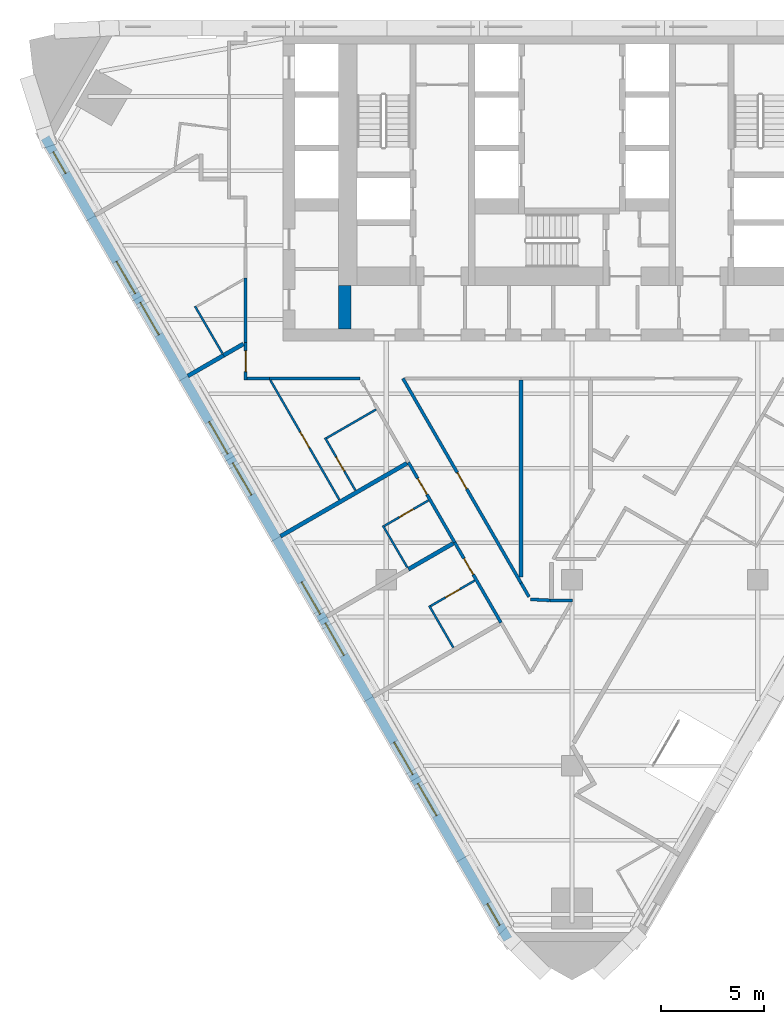
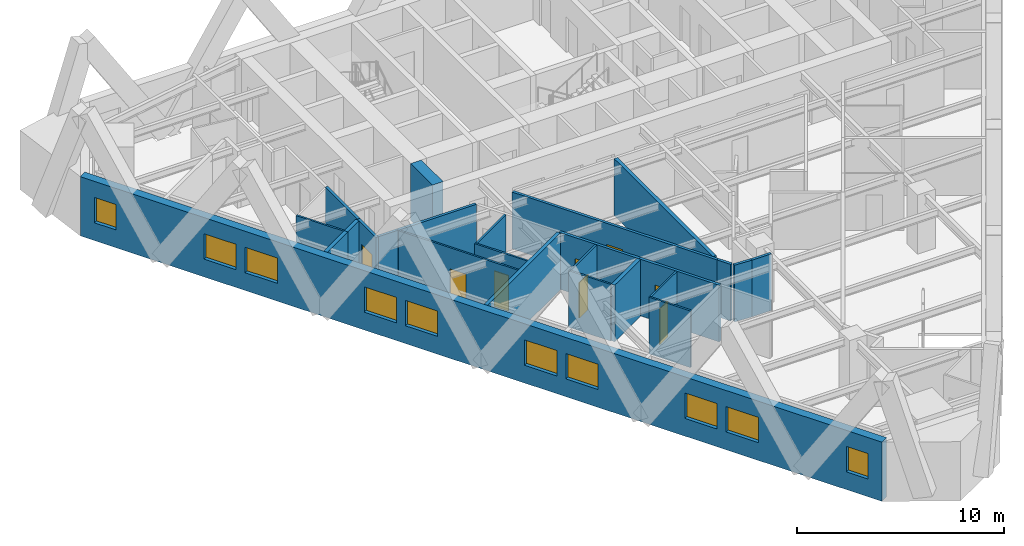
# One storey, part 5 of 12: 25 walls, 10 windows, 8 doors, 18 openings.
"""IFC4 building model written with IfcOpenShell, lengths in metres."""

from ifc_helpers import new_model, si_unit, direction, frame, frame_2d, origin, place, context, subcontext, project, spatial, polyline, rectangle, outline, extrude, material, layer, layer_set, type_object, element, fill, save


model = new_model("IFC4")

# Units and contexts
model_context = context("Model", 3, precision=1e-05, world=origin(), true_north=direction((0.0, 1.0)))
body_context = subcontext(model_context, "Body", "Model", "MODEL_VIEW")
ifc_project = project(units=[si_unit("LENGTHUNIT", "METRE"), si_unit("AREAUNIT", "SQUARE_METRE"), si_unit("VOLUMEUNIT", "CUBIC_METRE"), si_unit("PLANEANGLEUNIT", "RADIAN"), si_unit("MASSUNIT", "GRAM", prefix="KILO")], contexts=[model_context])

# Site, building, storey
site_placement = place(None, origin())
site = spatial("IfcSite", under=ifc_project, at=site_placement, CompositionType="ELEMENT")
building_placement = place(site_placement, origin())
building = spatial("IfcBuilding", under=site, at=building_placement, Name="Aloe Facet Convention Tower", CompositionType="ELEMENT")
storey_placement = place(building_placement, frame((0.0, 0.0, 70.0)))
storey = spatial("IfcBuildingStorey", under=building, at=storey_placement, Name="L16", CompositionType="ELEMENT", Elevation=70.0)

# Wall
ifc_material_1 = material(Name="Concrete C80/95", Category="concrete")
ifc_layer_1 = layer(ifc_material_1, 0.60009765625)
ifc_layer_set_1 = layer_set([ifc_layer_1], Name="CR-W-RC600-C8095")
wall_type_1 = type_object("IfcWallType", Name="CR-W-RC600-C8095", PredefinedType="SOLIDWALL", material=ifc_layer_set_1)
wall_1_placement = place(storey_placement, frame((69.0, 122.25, 0.0), z_axis=(0.0, 0.0, 1.0), x_axis=(0.0, -1.0, 0.0)))
element("IfcWall", 1, at=wall_1_placement, inside=storey, type_object=wall_type_1, Name="Core wall L16-009", PredefinedType="SOLIDWALL", context=body_context, shape_type="SweptSolid", body=[
    extrude(rectangle(XDim=2.10009765625, YDim=0.60009765625, at=frame_2d((1.050048828125, 0.0))), origin(), (0.0, 0.0, 1.0), 3.35009765625),
])

# Wall, openings, windows
ifc_material_2 = material(Name="Precast concrete C40/50", Category="concrete")
ifc_layer_2 = layer(ifc_material_2, 0.449951171875)
ifc_layer_set_2 = layer_set([ifc_layer_2], Name="EV-WALL-STONE")
wall_type_2 = type_object("IfcWallType", Name="EV-WALL-STONE", PredefinedType="SOLIDWALL", material=ifc_layer_set_2)
wall_2_placement = place(storey_placement, frame((54.494873046875, 129.396728515625, -0.14990234375), z_axis=(0.0, 0.0, 1.0), x_axis=(0.499999201451, -0.866025864826, 0.0)))
wall_2 = element("IfcWall", 2, at=wall_2_placement, inside=storey, type_object=wall_type_2, Name="EW-L16-W01", PredefinedType="SOLIDWALL", context=body_context, shape_type="SweptSolid", body=[
    extrude(outline(polyline([(44.800048828125, 0.0), (44.800048828125, 3.5), (0.0, 3.5), (0.0, 0.0), (44.800048828125, 0.0)])), frame((0.0, 0.22509765625, 0.0), z_axis=(0.0, -1.0, 0.0), x_axis=(1.0, 0.0, 0.0)), (0.0, 0.0, 1.0), 0.449951171875),
])
opening_1_placement = place(wall_2_placement, frame((0.7861328125, 0.0, 1.050048828125)))
opening_1 = element("IfcOpeningElement", 3, at=opening_1_placement, cuts=wall_2, Name="Opening W-L16-W01", PredefinedType="OPENING", context=body_context, shape_type="SweptSolid", body=[
    extrude(rectangle(XDim=1.199951171875, YDim=1.5, at=frame_2d((0.60009765625, 0.75))), frame((0.0, 0.23486328125, 0.0), z_axis=(0.0, -1.0, 0.0), x_axis=(1.0, 0.0, 0.0)), (0.0, 0.0, 1.0), 0.469970703125),
])
opening_2_placement = place(wall_2_placement, frame((6.909912109375, 0.0, 1.050048828125)))
opening_2 = element("IfcOpeningElement", 4, at=opening_2_placement, cuts=wall_2, Name="Opening W-L16-W02", PredefinedType="OPENING", context=body_context, shape_type="SweptSolid", body=[
    extrude(rectangle(XDim=1.800048828125, YDim=1.5, at=frame_2d((0.89990234375, 0.75))), frame((0.0, 0.23486328125, 0.0), z_axis=(0.0, -1.0, 0.0), x_axis=(1.0, 0.0, 0.0)), (0.0, 0.0, 1.0), 0.469970703125),
])
opening_3_placement = place(wall_2_placement, frame((9.2099609375, 0.0, 1.050048828125)))
opening_3 = element("IfcOpeningElement", 5, at=opening_3_placement, cuts=wall_2, Name="Opening W-L16-W03", PredefinedType="OPENING", context=body_context, shape_type="SweptSolid", body=[
    extrude(rectangle(XDim=1.800048828125, YDim=1.5, at=frame_2d((0.89990234375, 0.75))), frame((0.0, 0.23486328125, 0.0), z_axis=(0.0, -1.0, 0.0), x_axis=(1.0, 0.0, 0.0)), (0.0, 0.0, 1.0), 0.469970703125),
])
opening_4_placement = place(wall_2_placement, frame((15.8701171875, 0.0, 1.050048828125)))
opening_4 = element("IfcOpeningElement", 6, at=opening_4_placement, cuts=wall_2, Name="Opening W-L16-W04", PredefinedType="OPENING", context=body_context, shape_type="SweptSolid", body=[
    extrude(rectangle(XDim=1.800048828125, YDim=1.5, at=frame_2d((0.89990234375, 0.75))), frame((0.0, 0.23486328125, 0.0), z_axis=(0.0, -1.0, 0.0), x_axis=(1.0, 0.0, 0.0)), (0.0, 0.0, 1.0), 0.469970703125),
])
opening_5_placement = place(wall_2_placement, frame((18.169921875, 0.0, 1.050048828125)))
opening_5 = element("IfcOpeningElement", 7, at=opening_5_placement, cuts=wall_2, Name="Opening W-L16-W05", PredefinedType="OPENING", context=body_context, shape_type="SweptSolid", body=[
    extrude(rectangle(XDim=1.800048828125, YDim=1.5, at=frame_2d((0.89990234375, 0.75))), frame((0.0, 0.23486328125, 0.0), z_axis=(0.0, -1.0, 0.0), x_axis=(1.0, 0.0, 0.0)), (0.0, 0.0, 1.0), 0.469970703125),
])
opening_6_placement = place(wall_2_placement, frame((24.830078125, 0.0, 1.050048828125)))
opening_6 = element("IfcOpeningElement", 8, at=opening_6_placement, cuts=wall_2, Name="Opening W-L16-W06", PredefinedType="OPENING", context=body_context, shape_type="SweptSolid", body=[
    extrude(rectangle(XDim=1.800048828125, YDim=1.5, at=frame_2d((0.89990234375, 0.75))), frame((0.0, 0.23486328125, 0.0), z_axis=(0.0, -1.0, 0.0), x_axis=(1.0, 0.0, 0.0)), (0.0, 0.0, 1.0), 0.469970703125),
])
opening_7_placement = place(wall_2_placement, frame((27.1298828125, 0.0, 1.050048828125)))
opening_7 = element("IfcOpeningElement", 9, at=opening_7_placement, cuts=wall_2, Name="Opening W-L16-W07", PredefinedType="OPENING", context=body_context, shape_type="SweptSolid", body=[
    extrude(rectangle(XDim=1.800048828125, YDim=1.5, at=frame_2d((0.89990234375, 0.75))), frame((0.0, 0.23486328125, 0.0), z_axis=(0.0, -1.0, 0.0), x_axis=(1.0, 0.0, 0.0)), (0.0, 0.0, 1.0), 0.469970703125),
])
opening_8_placement = place(wall_2_placement, frame((33.7900390625, 0.0, 1.050048828125)))
opening_8 = element("IfcOpeningElement", 10, at=opening_8_placement, cuts=wall_2, Name="Opening W-L16-W08", PredefinedType="OPENING", context=body_context, shape_type="SweptSolid", body=[
    extrude(rectangle(XDim=1.800048828125, YDim=1.5, at=frame_2d((0.89990234375, 0.75))), frame((0.0, 0.23486328125, 0.0), z_axis=(0.0, -1.0, 0.0), x_axis=(1.0, 0.0, 0.0)), (0.0, 0.0, 1.0), 0.469970703125),
])
opening_9_placement = place(wall_2_placement, frame((36.090087890625, 0.0, 1.050048828125)))
opening_9 = element("IfcOpeningElement", 11, at=opening_9_placement, cuts=wall_2, Name="Opening W-L16-W09", PredefinedType="OPENING", context=body_context, shape_type="SweptSolid", body=[
    extrude(rectangle(XDim=1.800048828125, YDim=1.5, at=frame_2d((0.89990234375, 0.75))), frame((0.0, 0.23486328125, 0.0), z_axis=(0.0, -1.0, 0.0), x_axis=(1.0, 0.0, 0.0)), (0.0, 0.0, 1.0), 0.469970703125),
])
opening_10_placement = place(wall_2_placement, frame((42.81396484375, 0.0, 1.050048828125)))
opening_10 = element("IfcOpeningElement", 12, at=opening_10_placement, cuts=wall_2, Name="Opening W-L16-W10", PredefinedType="OPENING", context=body_context, shape_type="SweptSolid", body=[
    extrude(rectangle(XDim=1.199951171875, YDim=1.5, at=frame_2d((0.60009765625, 0.75))), frame((0.0, 0.23486328125, 0.0), z_axis=(0.0, -1.0, 0.0), x_axis=(1.0, 0.0, 0.0)), (0.0, 0.0, 1.0), 0.469970703125),
])
ifc_material_3 = material(Name="Aluminium frame, clear double glazing", Category="aluminium")
window_type_1 = type_object("IfcWindowType", Name="EV-WIN-H12", PartitioningType="SINGLE_PANEL", PredefinedType="WINDOW", material=ifc_material_3)
window_1_placement = place(opening_1_placement, origin())
window_1 = element("IfcWindow", 13, at=window_1_placement, inside=storey, type_object=window_type_1, Name="W-L16-W01", OverallHeight=1.5, OverallWidth=1.199951171875, PartitioningType="SINGLE_PANEL", PredefinedType="WINDOW", context=body_context, shape_type="SweptSolid", body=[
    extrude(rectangle(XDim=1.199951171875, YDim=1.5, at=frame_2d((0.60009765625, 0.75))), frame((0.0, 0.030029296875, 0.0), z_axis=(0.0, -1.0, 0.0), x_axis=(1.0, 0.0, 0.0)), (0.0, 0.0, 1.0), 0.06005859375),
])
fill(opening_1, window_1)
window_2_placement = place(opening_10_placement, origin())
window_2 = element("IfcWindow", 14, at=window_2_placement, inside=storey, type_object=window_type_1, Name="W-L16-W10", OverallHeight=1.5, OverallWidth=1.199951171875, PartitioningType="SINGLE_PANEL", PredefinedType="WINDOW", context=body_context, shape_type="SweptSolid", body=[
    extrude(rectangle(XDim=1.199951171875, YDim=1.5, at=frame_2d((0.60009765625, 0.75))), frame((0.0, 0.030029296875, 0.0), z_axis=(0.0, -1.0, 0.0), x_axis=(1.0, 0.0, 0.0)), (0.0, 0.0, 1.0), 0.06005859375),
])
fill(opening_10, window_2)
ifc_material_4 = material(Name="Aluminium frame, clear double glazing", Category="aluminium")
window_type_2 = type_object("IfcWindowType", Name="EV-WIN-H18", PartitioningType="SINGLE_PANEL", PredefinedType="WINDOW", material=ifc_material_4)
window_3_placement = place(opening_2_placement, origin())
window_3 = element("IfcWindow", 15, at=window_3_placement, inside=storey, type_object=window_type_2, Name="W-L16-W02", OverallHeight=1.5, OverallWidth=1.800048828125, PartitioningType="SINGLE_PANEL", PredefinedType="WINDOW", context=body_context, shape_type="SweptSolid", body=[
    extrude(rectangle(XDim=1.800048828125, YDim=1.5, at=frame_2d((0.89990234375, 0.75))), frame((0.0, 0.030029296875, 0.0), z_axis=(0.0, -1.0, 0.0), x_axis=(1.0, 0.0, 0.0)), (0.0, 0.0, 1.0), 0.06005859375),
])
fill(opening_2, window_3)
window_4_placement = place(opening_3_placement, origin())
window_4 = element("IfcWindow", 16, at=window_4_placement, inside=storey, type_object=window_type_2, Name="W-L16-W03", OverallHeight=1.5, OverallWidth=1.800048828125, PartitioningType="SINGLE_PANEL", PredefinedType="WINDOW", context=body_context, shape_type="SweptSolid", body=[
    extrude(rectangle(XDim=1.800048828125, YDim=1.5, at=frame_2d((0.89990234375, 0.75))), frame((0.0, 0.030029296875, 0.0), z_axis=(0.0, -1.0, 0.0), x_axis=(1.0, 0.0, 0.0)), (0.0, 0.0, 1.0), 0.06005859375),
])
fill(opening_3, window_4)
window_5_placement = place(opening_4_placement, origin())
window_5 = element("IfcWindow", 17, at=window_5_placement, inside=storey, type_object=window_type_2, Name="W-L16-W04", OverallHeight=1.5, OverallWidth=1.800048828125, PartitioningType="SINGLE_PANEL", PredefinedType="WINDOW", context=body_context, shape_type="SweptSolid", body=[
    extrude(rectangle(XDim=1.800048828125, YDim=1.5, at=frame_2d((0.89990234375, 0.75))), frame((0.0, 0.030029296875, 0.0), z_axis=(0.0, -1.0, 0.0), x_axis=(1.0, 0.0, 0.0)), (0.0, 0.0, 1.0), 0.06005859375),
])
fill(opening_4, window_5)
window_6_placement = place(opening_5_placement, origin())
window_6 = element("IfcWindow", 18, at=window_6_placement, inside=storey, type_object=window_type_2, Name="W-L16-W05", OverallHeight=1.5, OverallWidth=1.800048828125, PartitioningType="SINGLE_PANEL", PredefinedType="WINDOW", context=body_context, shape_type="SweptSolid", body=[
    extrude(rectangle(XDim=1.800048828125, YDim=1.5, at=frame_2d((0.89990234375, 0.75))), frame((0.0, 0.030029296875, 0.0), z_axis=(0.0, -1.0, 0.0), x_axis=(1.0, 0.0, 0.0)), (0.0, 0.0, 1.0), 0.06005859375),
])
fill(opening_5, window_6)
window_7_placement = place(opening_6_placement, origin())
window_7 = element("IfcWindow", 19, at=window_7_placement, inside=storey, type_object=window_type_2, Name="W-L16-W06", OverallHeight=1.5, OverallWidth=1.800048828125, PartitioningType="SINGLE_PANEL", PredefinedType="WINDOW", context=body_context, shape_type="SweptSolid", body=[
    extrude(rectangle(XDim=1.800048828125, YDim=1.5, at=frame_2d((0.89990234375, 0.75))), frame((0.0, 0.030029296875, 0.0), z_axis=(0.0, -1.0, 0.0), x_axis=(1.0, 0.0, 0.0)), (0.0, 0.0, 1.0), 0.06005859375),
])
fill(opening_6, window_7)
window_8_placement = place(opening_7_placement, origin())
window_8 = element("IfcWindow", 20, at=window_8_placement, inside=storey, type_object=window_type_2, Name="W-L16-W07", OverallHeight=1.5, OverallWidth=1.800048828125, PartitioningType="SINGLE_PANEL", PredefinedType="WINDOW", context=body_context, shape_type="SweptSolid", body=[
    extrude(rectangle(XDim=1.800048828125, YDim=1.5, at=frame_2d((0.89990234375, 0.75))), frame((0.0, 0.030029296875, 0.0), z_axis=(0.0, -1.0, 0.0), x_axis=(1.0, 0.0, 0.0)), (0.0, 0.0, 1.0), 0.06005859375),
])
fill(opening_7, window_8)
window_9_placement = place(opening_8_placement, origin())
window_9 = element("IfcWindow", 21, at=window_9_placement, inside=storey, type_object=window_type_2, Name="W-L16-W08", OverallHeight=1.5, OverallWidth=1.800048828125, PartitioningType="SINGLE_PANEL", PredefinedType="WINDOW", context=body_context, shape_type="SweptSolid", body=[
    extrude(rectangle(XDim=1.800048828125, YDim=1.5, at=frame_2d((0.89990234375, 0.75))), frame((0.0, 0.030029296875, 0.0), z_axis=(0.0, -1.0, 0.0), x_axis=(1.0, 0.0, 0.0)), (0.0, 0.0, 1.0), 0.06005859375),
])
fill(opening_8, window_9)
window_10_placement = place(opening_9_placement, origin())
window_10 = element("IfcWindow", 22, at=window_10_placement, inside=storey, type_object=window_type_2, Name="W-L16-W09", OverallHeight=1.5, OverallWidth=1.800048828125, PartitioningType="SINGLE_PANEL", PredefinedType="WINDOW", context=body_context, shape_type="SweptSolid", body=[
    extrude(rectangle(XDim=1.800048828125, YDim=1.5, at=frame_2d((0.89990234375, 0.75))), frame((0.0, 0.030029296875, 0.0), z_axis=(0.0, -1.0, 0.0), x_axis=(1.0, 0.0, 0.0)), (0.0, 0.0, 1.0), 0.06005859375),
])
fill(opening_9, window_10)

# Wall, opening, door
ifc_material_5 = material(Name="Gypsum board partition on steel studs", Category="steel")
ifc_layer_3 = layer(ifc_material_5, 0.14990234375)
ifc_layer_set_3 = layer_set([ifc_layer_3], Name="IN-W-CORR")
wall_type_3 = type_object("IfcWallType", Name="IN-W-CORR", PredefinedType="PARTITIONING", material=ifc_layer_set_3)
wall_3_placement = place(storey_placement, frame((74.32177734375, 109.805419921875, 0.0), z_axis=(0.0, 0.0, 1.0), x_axis=(0.500013360201, -0.866017690131, 0.0)))
wall_3 = element("IfcWall", 23, at=wall_3_placement, inside=storey, type_object=wall_type_3, Name="Partition L16-W013", PredefinedType="PARTITIONING", context=body_context, shape_type="SweptSolid", body=[
    extrude(rectangle(XDim=4.47998046875, YDim=0.14990234375, at=frame_2d((2.239990234375, 0.0))), origin(), (0.0, 0.0, 1.0), 3.35009765625),
])
opening_11_placement = place(wall_3_placement, frame((0.89599609375, 0.0, 0.0)))
opening_11 = element("IfcOpeningElement", 24, at=opening_11_placement, cuts=wall_3, Name="Opening L16-006", PredefinedType="OPENING", context=body_context, shape_type="SweptSolid", body=[
    extrude(rectangle(XDim=0.89990234375, YDim=2.10009765625, at=frame_2d((0.449951171875, 1.050048828125))), frame((0.0, 0.0849609375, 0.0), z_axis=(0.0, -1.0, 0.0), x_axis=(1.0, 0.0, 0.0)), (0.0, 0.0, 1.0), 0.169921875),
])
ifc_material_6 = material(Name="Hardwood flush door FD30S", Category="wood")
door_type_1 = type_object("IfcDoorType", Name="IN-D-GUEST", OperationType="SINGLE_SWING_LEFT", PredefinedType="DOOR", material=ifc_material_6)
door_1_placement = place(opening_11_placement, origin())
door_1 = element("IfcDoor", 25, at=door_1_placement, inside=storey, type_object=door_type_1, Name="Door L16-006", OperationType="SINGLE_SWING_LEFT", OverallHeight=2.10009765625, OverallWidth=0.89990234375, PredefinedType="DOOR", context=body_context, shape_type="SweptSolid", body=[
    extrude(rectangle(XDim=0.89990234375, YDim=2.10009765625, at=frame_2d((0.449951171875, 1.050048828125))), frame((0.0, 0.02490234375, 0.0), z_axis=(0.0, -1.0, 0.0), x_axis=(1.0, 0.0, 0.0)), (0.0, 0.0, 1.0), 0.050048828125),
])
fill(opening_11, door_1)

# Walls
wall_4_placement = place(storey_placement, frame((78.925048828125, 107.0, 0.0), z_axis=(0.0, 0.0, 1.0), x_axis=(1.0, 0.0, 0.0)))
element("IfcWall", 26, at=wall_4_placement, inside=storey, type_object=wall_type_3, Name="Partition L16-W016", PredefinedType="PARTITIONING", context=body_context, shape_type="SweptSolid", body=[
    extrude(rectangle(XDim=1.091064453125, YDim=0.14990234375, at=frame_2d((0.54541015625, 0.0))), origin(), (0.0, 0.0, 1.0), 3.35009765625),
])
wall_5_placement = place(storey_placement, frame((77.989501953125, 107.0546875, 0.0), z_axis=(0.0, 0.0, 1.0), x_axis=(0.998544170551, -0.053940147, 0.0)))
element("IfcWall", 27, at=wall_5_placement, inside=storey, type_object=wall_type_3, Name="Partition L16-W018", PredefinedType="PARTITIONING", context=body_context, shape_type="SweptSolid", body=[
    extrude(rectangle(XDim=0.93701171875, YDim=0.14990234375, at=frame_2d((0.468505859375, 0.0))), origin(), (0.0, 0.0, 1.0), 3.35009765625),
])
wall_6_placement = place(storey_placement, frame((77.533935546875, 107.841796875, 0.0), z_axis=(0.0, 0.0, 1.0), x_axis=(0.500973854789, -0.865462417912, 0.0)))
element("IfcWall", 28, at=wall_6_placement, inside=storey, type_object=wall_type_3, Name="Partition L16-W019", PredefinedType="PARTITIONING", context=body_context, shape_type="SweptSolid", body=[
    extrude(rectangle(XDim=0.77099609375, YDim=0.14990234375, at=frame_2d((0.385498046875, 0.0))), origin(), (0.0, 0.0, 1.0), 3.35009765625),
])

# Wall, opening, door
wall_7_placement = place(storey_placement, frame((72.081787109375, 113.685302734375, 0.0), z_axis=(0.0, 0.0, 1.0), x_axis=(0.499989762656, -0.866031314237, 0.0)))
wall_7 = element("IfcWall", 29, at=wall_7_placement, inside=storey, type_object=wall_type_3, Name="Partition L16-W031", PredefinedType="PARTITIONING", context=body_context, shape_type="SweptSolid", body=[
    extrude(rectangle(XDim=4.47998046875, YDim=0.14990234375, at=frame_2d((2.239990234375, 0.0))), origin(), (0.0, 0.0, 1.0), 3.35009765625),
])
opening_12_placement = place(wall_7_placement, frame((0.89599609375, 0.0, 0.0)))
opening_12 = element("IfcOpeningElement", 30, at=opening_12_placement, cuts=wall_7, Name="Opening L16-005", PredefinedType="OPENING", context=body_context, shape_type="SweptSolid", body=[
    extrude(rectangle(XDim=0.89990234375, YDim=2.10009765625, at=frame_2d((0.449951171875, 1.050048828125))), frame((0.0, 0.0849609375, 0.0), z_axis=(0.0, -1.0, 0.0), x_axis=(1.0, 0.0, 0.0)), (0.0, 0.0, 1.0), 0.169921875),
])
door_2_placement = place(opening_12_placement, origin())
door_2 = element("IfcDoor", 31, at=door_2_placement, inside=storey, type_object=door_type_1, Name="Door L16-005", OperationType="SINGLE_SWING_LEFT", OverallHeight=2.10009765625, OverallWidth=0.89990234375, PredefinedType="DOOR", context=body_context, shape_type="SweptSolid", body=[
    extrude(rectangle(XDim=0.89990234375, YDim=2.10009765625, at=frame_2d((0.449951171875, 1.050048828125))), frame((0.0, 0.02490234375, 0.0), z_axis=(0.0, -1.0, 0.0), x_axis=(1.0, 0.0, 0.0)), (0.0, 0.0, 1.0), 0.050048828125),
])
fill(opening_12, door_2)

wall_8_placement = place(storey_placement, frame((64.199951171875, 117.675048828125, 0.0), z_axis=(0.0, 0.0, 1.0), x_axis=(0.0, 1.0, 0.0)))
wall_8 = element("IfcWall", 32, at=wall_8_placement, inside=storey, type_object=wall_type_3, Name="Partition L16-W067", PredefinedType="PARTITIONING", context=body_context, shape_type="SweptSolid", body=[
    extrude(rectangle(XDim=1.8056640625, YDim=0.14990234375, at=frame_2d((0.90283203125, 0.0))), origin(), (0.0, 0.0, 1.0), 3.35009765625),
])
opening_13_placement = place(wall_8_placement, frame((0.40283203125, 0.0, 0.0)))
opening_13 = element("IfcOpeningElement", 33, at=opening_13_placement, cuts=wall_8, Name="Opening L16-004", PredefinedType="OPENING", context=body_context, shape_type="SweptSolid", body=[
    extrude(rectangle(XDim=1.0, YDim=2.10009765625, at=frame_2d((0.5, 1.050048828125))), frame((0.0, 0.0849609375, 0.0), z_axis=(0.0, -1.0, 0.0), x_axis=(1.0, 0.0, 0.0)), (0.0, 0.0, 1.0), 0.169921875),
])
ifc_material_7 = material(Name="Hardwood flush door FD30S", Category="wood")
door_type_2 = type_object("IfcDoorType", Name="IN-D-WIDE", OperationType="SINGLE_SWING_LEFT", PredefinedType="DOOR", material=ifc_material_7)
door_3_placement = place(opening_13_placement, origin())
door_3 = element("IfcDoor", 34, at=door_3_placement, inside=storey, type_object=door_type_2, Name="Door L16-004", OperationType="SINGLE_SWING_LEFT", OverallHeight=2.10009765625, OverallWidth=1.0, PredefinedType="DOOR", context=body_context, shape_type="SweptSolid", body=[
    extrude(rectangle(XDim=1.0, YDim=2.10009765625, at=frame_2d((0.5, 1.050048828125))), frame((0.0, 0.02490234375, 0.0), z_axis=(0.0, -1.0, 0.0), x_axis=(1.0, 0.0, 0.0)), (0.0, 0.0, 1.0), 0.050048828125),
])
fill(opening_13, door_3)

# Walls
wall_9_placement = place(storey_placement, frame((65.34716796875, 117.75, 0.0), z_axis=(0.0, 0.0, 1.0), x_axis=(1.0, 0.0, 0.0)))
element("IfcWall", 35, at=wall_9_placement, inside=storey, type_object=wall_type_3, Name="Partition L16-W068", PredefinedType="PARTITIONING", context=body_context, shape_type="SweptSolid", body=[
    extrude(rectangle(XDim=4.387939453125, YDim=0.14990234375, at=frame_2d((2.19384765625, 0.0))), origin(), (0.0, 0.0, 1.0), 3.35009765625),
])
wall_10_placement = place(storey_placement, frame((64.27490234375, 117.75, 0.0), z_axis=(0.0, 0.0, 1.0), x_axis=(1.0, 0.0, 0.0)))
element("IfcWall", 36, at=wall_10_placement, inside=storey, type_object=wall_type_3, Name="Partition L16-W069", PredefinedType="PARTITIONING", context=body_context, shape_type="SweptSolid", body=[
    extrude(rectangle(XDim=1.072265625, YDim=0.14990234375, at=frame_2d((0.5361328125, 0.0))), origin(), (0.0, 0.0, 1.0), 3.35009765625),
])

# Wall, opening, door
wall_11_placement = place(storey_placement, frame((71.8134765625, 117.75, 0.0), z_axis=(0.0, 0.0, 1.0), x_axis=(0.499997066004, -0.866027097721, 0.0)))
wall_11 = element("IfcWall", 37, at=wall_11_placement, inside=storey, type_object=wall_type_3, Name="Partition L16-W071", PredefinedType="PARTITIONING", context=body_context, shape_type="SweptSolid", body=[
    extrude(rectangle(XDim=11.44091796875, YDim=0.14990234375, at=frame_2d((5.720458984375, 0.0))), origin(), (0.0, 0.0, 1.0), 3.35009765625),
])
opening_14_placement = place(wall_11_placement, frame((5.2705078125, 0.0, 0.0)))
opening_14 = element("IfcOpeningElement", 38, at=opening_14_placement, cuts=wall_11, Name="Opening L16-011", PredefinedType="OPENING", context=body_context, shape_type="SweptSolid", body=[
    extrude(rectangle(XDim=0.89990234375, YDim=2.10009765625, at=frame_2d((0.449951171875, 1.050048828125))), frame((0.0, 0.0849609375, 0.0), z_axis=(0.0, -1.0, 0.0), x_axis=(1.0, 0.0, 0.0)), (0.0, 0.0, 1.0), 0.169921875),
])
door_4_placement = place(opening_14_placement, origin())
door_4 = element("IfcDoor", 39, at=door_4_placement, inside=storey, type_object=door_type_1, Name="Door L16-011", OperationType="SINGLE_SWING_LEFT", OverallHeight=2.10009765625, OverallWidth=0.89990234375, PredefinedType="DOOR", context=body_context, shape_type="SweptSolid", body=[
    extrude(rectangle(XDim=0.89990234375, YDim=2.10009765625, at=frame_2d((0.449951171875, 1.050048828125))), frame((0.0, 0.02490234375, 0.0), z_axis=(0.0, -1.0, 0.0), x_axis=(1.0, 0.0, 0.0)), (0.0, 0.0, 1.0), 0.050048828125),
])
fill(opening_14, door_4)

# Walls
wall_12_placement = place(storey_placement, frame((64.199951171875, 119.480712890625, 0.0), z_axis=(0.0, 0.0, 1.0), x_axis=(0.0, 1.0, 0.0)))
element("IfcWall", 40, at=wall_12_placement, inside=storey, type_object=wall_type_3, Name="Partition L16-W087", PredefinedType="PARTITIONING", context=body_context, shape_type="SweptSolid", body=[
    extrude(rectangle(XDim=3.117919921875, YDim=0.14990234375, at=frame_2d((1.55908203125, 0.0))), origin(), (0.0, 0.0, 1.0), 3.35009765625),
])
ifc_material_8 = material(Name="Gypsum board partition on steel studs", Category="steel")
ifc_layer_4 = layer(ifc_material_8, 0.10009765625)
ifc_layer_set_4 = layer_set([ifc_layer_4], Name="IN-W-PART")
wall_type_4 = type_object("IfcWallType", Name="IN-W-PART", PredefinedType="PARTITIONING", material=ifc_layer_set_4)
wall_13_placement = place(storey_placement, frame((73.085205078125, 106.74755859375, 0.0), z_axis=(0.0, 0.0, 1.0), x_axis=(0.499954256575, -0.866051812152, 0.0)))
element("IfcWall", 41, at=wall_13_placement, inside=storey, type_object=wall_type_4, Name="Partition L16-W010", PredefinedType="PARTITIONING", context=body_context, shape_type="SweptSolid", body=[
    extrude(rectangle(XDim=2.340087890625, YDim=0.10009765625, at=frame_2d((1.169921875, 0.0))), origin(), (0.0, 0.0, 1.0), 3.35009765625),
])

# Wall, opening, door
wall_14_placement = place(storey_placement, frame((73.1533203125, 106.729248046875, 0.0), z_axis=(0.0, 0.0, 1.0), x_axis=(0.866040446274, 0.499973944738, 0.0)))
wall_14 = element("IfcWall", 42, at=wall_14_placement, inside=storey, type_object=wall_type_4, Name="Partition L16-W015", PredefinedType="PARTITIONING", context=body_context, shape_type="SweptSolid", body=[
    extrude(rectangle(XDim=2.465087890625, YDim=0.10009765625, at=frame_2d((1.232421875, 0.0))), origin(), (0.0, 0.0, 1.0), 3.35009765625),
])
opening_15_placement = place(wall_14_placement, frame((0.83251953125, 0.0, 0.0)))
opening_15 = element("IfcOpeningElement", 43, at=opening_15_placement, cuts=wall_14, Name="Opening L16-021", PredefinedType="OPENING", context=body_context, shape_type="SweptSolid", body=[
    extrude(rectangle(XDim=0.800048828125, YDim=2.10009765625, at=frame_2d((0.39990234375, 1.050048828125))), frame((0.0, 0.06005859375, 0.0), z_axis=(0.0, -1.0, 0.0), x_axis=(1.0, 0.0, 0.0)), (0.0, 0.0, 1.0), 0.1201171875),
])
ifc_material_9 = material(Name="Timber flush door", Category="wood")
door_type_3 = type_object("IfcDoorType", Name="IN-D-BATH", OperationType="SINGLE_SWING_LEFT", PredefinedType="DOOR", material=ifc_material_9)
door_5_placement = place(opening_15_placement, origin())
door_5 = element("IfcDoor", 44, at=door_5_placement, inside=storey, type_object=door_type_3, Name="Door L16-021", OperationType="SINGLE_SWING_LEFT", OverallHeight=2.10009765625, OverallWidth=0.800048828125, PredefinedType="DOOR", context=body_context, shape_type="SweptSolid", body=[
    extrude(rectangle(XDim=0.800048828125, YDim=2.10009765625, at=frame_2d((0.39990234375, 1.050048828125))), frame((0.0, 0.02490234375, 0.0), z_axis=(0.0, -1.0, 0.0), x_axis=(1.0, 0.0, 0.0)), (0.0, 0.0, 1.0), 0.050048828125),
])
fill(opening_15, door_5)

# Wall
wall_15_placement = place(storey_placement, frame((70.844970703125, 110.627197265625, 0.0), z_axis=(0.0, 0.0, 1.0), x_axis=(0.503592070056, -0.863941564561, 0.0)))
element("IfcWall", 45, at=wall_15_placement, inside=storey, type_object=wall_type_4, Name="Partition L16-W023", PredefinedType="PARTITIONING", context=body_context, shape_type="SweptSolid", body=[
    extrude(rectangle(XDim=2.340087890625, YDim=0.10009765625, at=frame_2d((1.169921875, 0.0))), origin(), (0.0, 0.0, 1.0), 3.35009765625),
])

# Wall, opening, door
wall_16_placement = place(storey_placement, frame((70.922119140625, 110.614013671875, 0.0), z_axis=(0.0, 0.0, 1.0), x_axis=(0.866049783786, 0.499957770222, 0.0)))
wall_16 = element("IfcWall", 46, at=wall_16_placement, inside=storey, type_object=wall_type_4, Name="Partition L16-W034", PredefinedType="PARTITIONING", context=body_context, shape_type="SweptSolid", body=[
    extrude(rectangle(XDim=2.454833984375, YDim=0.10009765625, at=frame_2d((1.2275390625, 0.0))), origin(), (0.0, 0.0, 1.0), 3.35009765625),
])
opening_16_placement = place(wall_16_placement, frame((0.827392578125, 0.0, 0.0)))
opening_16 = element("IfcOpeningElement", 47, at=opening_16_placement, cuts=wall_16, Name="Opening L16-020", PredefinedType="OPENING", context=body_context, shape_type="SweptSolid", body=[
    extrude(rectangle(XDim=0.800048828125, YDim=2.10009765625, at=frame_2d((0.39990234375, 1.050048828125))), frame((0.0, 0.06005859375, 0.0), z_axis=(0.0, -1.0, 0.0), x_axis=(1.0, 0.0, 0.0)), (0.0, 0.0, 1.0), 0.1201171875),
])
door_6_placement = place(opening_16_placement, origin())
door_6 = element("IfcDoor", 48, at=door_6_placement, inside=storey, type_object=door_type_3, Name="Door L16-020", OperationType="SINGLE_SWING_LEFT", OverallHeight=2.10009765625, OverallWidth=0.800048828125, PredefinedType="DOOR", context=body_context, shape_type="SweptSolid", body=[
    extrude(rectangle(XDim=0.800048828125, YDim=2.10009765625, at=frame_2d((0.39990234375, 1.050048828125))), frame((0.0, 0.02490234375, 0.0), z_axis=(0.0, -1.0, 0.0), x_axis=(1.0, 0.0, 0.0)), (0.0, 0.0, 1.0), 0.050048828125),
])
fill(opening_16, door_6)

wall_17_placement = place(storey_placement, frame((65.394775390625, 117.667724609375, 0.0), z_axis=(0.0, 0.0, 1.0), x_axis=(0.499986003774, -0.866033484359, 0.0)))
wall_17 = element("IfcWall", 49, at=wall_17_placement, inside=storey, type_object=wall_type_4, Name="Partition L16-W038", PredefinedType="PARTITIONING", context=body_context, shape_type="SweptSolid", body=[
    extrude(rectangle(XDim=6.682373046875, YDim=0.10009765625, at=frame_2d((3.34130859375, 0.0))), origin(), (0.0, 0.0, 1.0), 3.35009765625),
])
opening_17_placement = place(wall_17_placement, frame((2.891357421875, 0.0, 0.0)))
opening_17 = element("IfcOpeningElement", 50, at=opening_17_placement, cuts=wall_17, Name="Opening L16-019", PredefinedType="OPENING", context=body_context, shape_type="SweptSolid", body=[
    extrude(rectangle(XDim=0.89990234375, YDim=2.10009765625, at=frame_2d((0.449951171875, 1.050048828125))), frame((0.0, 0.06005859375, 0.0), z_axis=(0.0, -1.0, 0.0), x_axis=(1.0, 0.0, 0.0)), (0.0, 0.0, 1.0), 0.1201171875),
])
ifc_material_10 = material(Name="Timber flush door", Category="wood")
door_type_4 = type_object("IfcDoorType", Name="IN-D-INT", OperationType="SINGLE_SWING_LEFT", PredefinedType="DOOR", material=ifc_material_10)
door_7_placement = place(opening_17_placement, origin())
door_7 = element("IfcDoor", 51, at=door_7_placement, inside=storey, type_object=door_type_4, Name="Door L16-019", OperationType="SINGLE_SWING_LEFT", OverallHeight=2.10009765625, OverallWidth=0.89990234375, PredefinedType="DOOR", context=body_context, shape_type="SweptSolid", body=[
    extrude(rectangle(XDim=0.89990234375, YDim=2.10009765625, at=frame_2d((0.449951171875, 1.050048828125))), frame((0.0, 0.02490234375, 0.0), z_axis=(0.0, -1.0, 0.0), x_axis=(1.0, 0.0, 0.0)), (0.0, 0.0, 1.0), 0.050048828125),
])
fill(opening_17, door_7)

wall_18_placement = place(storey_placement, frame((68.04541015625, 114.876708984375, 0.0), z_axis=(0.0, 0.0, 1.0), x_axis=(0.499988418424, -0.866032090307, 0.0)))
wall_18 = element("IfcWall", 52, at=wall_18_placement, inside=storey, type_object=wall_type_4, Name="Partition L16-W062", PredefinedType="PARTITIONING", context=body_context, shape_type="SweptSolid", body=[
    extrude(rectangle(XDim=2.93994140625, YDim=0.10009765625, at=frame_2d((1.469970703125, 0.0))), origin(), (0.0, 0.0, 1.0), 3.35009765625),
])
opening_18_placement = place(wall_18_placement, frame((1.070068359375, 0.0, 0.0)))
opening_18 = element("IfcOpeningElement", 53, at=opening_18_placement, cuts=wall_18, Name="Opening L16-018", PredefinedType="OPENING", context=body_context, shape_type="SweptSolid", body=[
    extrude(rectangle(XDim=0.800048828125, YDim=2.10009765625, at=frame_2d((0.39990234375, 1.050048828125))), frame((0.0, 0.06005859375, 0.0), z_axis=(0.0, -1.0, 0.0), x_axis=(1.0, 0.0, 0.0)), (0.0, 0.0, 1.0), 0.1201171875),
])
door_8_placement = place(opening_18_placement, origin())
door_8 = element("IfcDoor", 54, at=door_8_placement, inside=storey, type_object=door_type_3, Name="Door L16-018", OperationType="SINGLE_SWING_LEFT", OverallHeight=2.10009765625, OverallWidth=0.800048828125, PredefinedType="DOOR", context=body_context, shape_type="SweptSolid", body=[
    extrude(rectangle(XDim=0.800048828125, YDim=2.10009765625, at=frame_2d((0.39990234375, 1.050048828125))), frame((0.0, 0.02490234375, 0.0), z_axis=(0.0, -1.0, 0.0), x_axis=(1.0, 0.0, 0.0)), (0.0, 0.0, 1.0), 0.050048828125),
])
fill(opening_18, door_8)

# Walls
wall_19_placement = place(storey_placement, frame((68.113525390625, 114.8583984375, 0.0), z_axis=(0.0, 0.0, 1.0), x_axis=(0.866042014628, 0.499971228071, 0.0)))
element("IfcWall", 55, at=wall_19_placement, inside=storey, type_object=wall_type_4, Name="Partition L16-W065", PredefinedType="PARTITIONING", context=body_context, shape_type="SweptSolid", body=[
    extrude(rectangle(XDim=2.775146484375, YDim=0.10009765625, at=frame_2d((1.3876953125, 0.0))), origin(), (0.0, 0.0, 1.0), 3.35009765625),
])
wall_20_placement = place(storey_placement, frame((61.75, 121.24169921875, 0.0), z_axis=(0.0, 0.0, 1.0), x_axis=(0.503163628445, -0.86419116115, 0.0)))
element("IfcWall", 56, at=wall_20_placement, inside=storey, type_object=wall_type_4, Name="Partition L16-W079", PredefinedType="PARTITIONING", context=body_context, shape_type="SweptSolid", body=[
    extrude(rectangle(XDim=2.64013671875, YDim=0.10009765625, at=frame_2d((1.320068359375, 0.0))), origin(), (0.0, 0.0, 1.0), 3.35009765625),
])
ifc_material_11 = material(Name="Gypsum board partition on steel studs", Category="steel")
ifc_layer_5 = layer(ifc_material_11, 0.199951171875)
ifc_layer_set_5 = layer_set([ifc_layer_5], Name="IN-W-PARTY")
wall_type_5 = type_object("IfcWallType", Name="IN-W-PARTY", PredefinedType="PARTITIONING", material=ifc_layer_set_5)
wall_21_placement = place(storey_placement, frame((77.533935546875, 108.13671875, 0.0), z_axis=(0.0, 0.0, 1.0), x_axis=(0.0, 1.0, 0.0)))
element("IfcWall", 57, at=wall_21_placement, inside=storey, type_object=wall_type_5, Name="Partition L16-W020", PredefinedType="PARTITIONING", context=body_context, shape_type="SweptSolid", body=[
    extrude(rectangle(XDim=9.538330078125, YDim=0.199951171875, at=frame_2d((4.76904296875, 0.0))), origin(), (0.0, 0.0, 1.0), 3.35009765625),
])
wall_22_placement = place(storey_placement, frame((72.078857421875, 108.510498046875, 0.0), z_axis=(0.0, 0.0, 1.0), x_axis=(0.866039519639, 0.499975549825, 0.0)))
element("IfcWall", 58, at=wall_22_placement, inside=storey, type_object=wall_type_5, Name="Partition L16-W030", PredefinedType="PARTITIONING", context=body_context, shape_type="SweptSolid", body=[
    extrude(rectangle(XDim=2.505126953125, YDim=0.199951171875, at=frame_2d((1.25244140625, 0.0))), origin(), (0.0, 0.0, 1.0), 3.35009765625),
])
wall_23_placement = place(storey_placement, frame((65.8896484375, 110.1103515625, 0.0), z_axis=(0.0, 0.0, 1.0), x_axis=(0.866033669941, 0.499985682323, 0.0)))
element("IfcWall", 59, at=wall_23_placement, inside=storey, type_object=wall_type_5, Name="Partition L16-W032", PredefinedType="PARTITIONING", context=body_context, shape_type="SweptSolid", body=[
    extrude(rectangle(XDim=7.065185546875, YDim=0.199951171875, at=frame_2d((3.53271484375, 0.0))), origin(), (0.0, 0.0, 1.0), 3.35009765625),
])
wall_24_placement = place(storey_placement, frame((61.40966796875, 117.869873046875, 0.0), z_axis=(0.0, 0.0, 1.0), x_axis=(0.866038551572, 0.499977226672, 0.0)))
element("IfcWall", 60, at=wall_24_placement, inside=storey, type_object=wall_type_5, Name="Partition L16-W077", PredefinedType="PARTITIONING", context=body_context, shape_type="SweptSolid", body=[
    extrude(rectangle(XDim=1.99072265625, YDim=0.199951171875, at=frame_2d((0.995361328125, 0.0))), origin(), (0.0, 0.0, 1.0), 3.35009765625),
])
wall_25_placement = place(storey_placement, frame((63.1337890625, 118.865234375, 0.0), z_axis=(0.0, 0.0, 1.0), x_axis=(0.866075331272, 0.499913513082, 0.0)))
element("IfcWall", 61, at=wall_25_placement, inside=storey, type_object=wall_type_5, Name="Partition L16-W080", PredefinedType="PARTITIONING", context=body_context, shape_type="SweptSolid", body=[
    extrude(rectangle(XDim=1.106201171875, YDim=0.199951171875, at=frame_2d((0.55322265625, 0.0))), origin(), (0.0, 0.0, 1.0), 3.35009765625),
])

save(model, "model.ifc")
